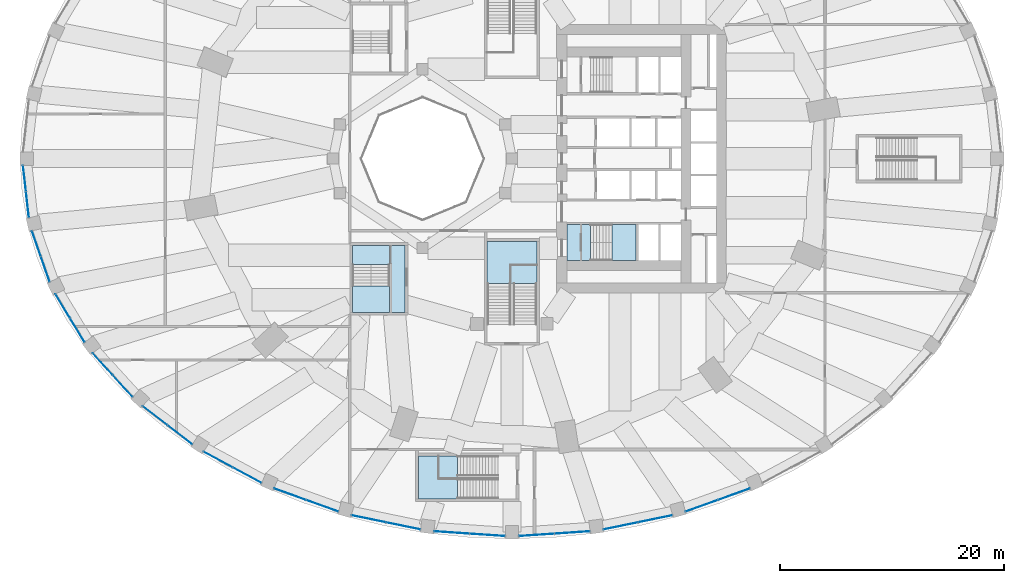
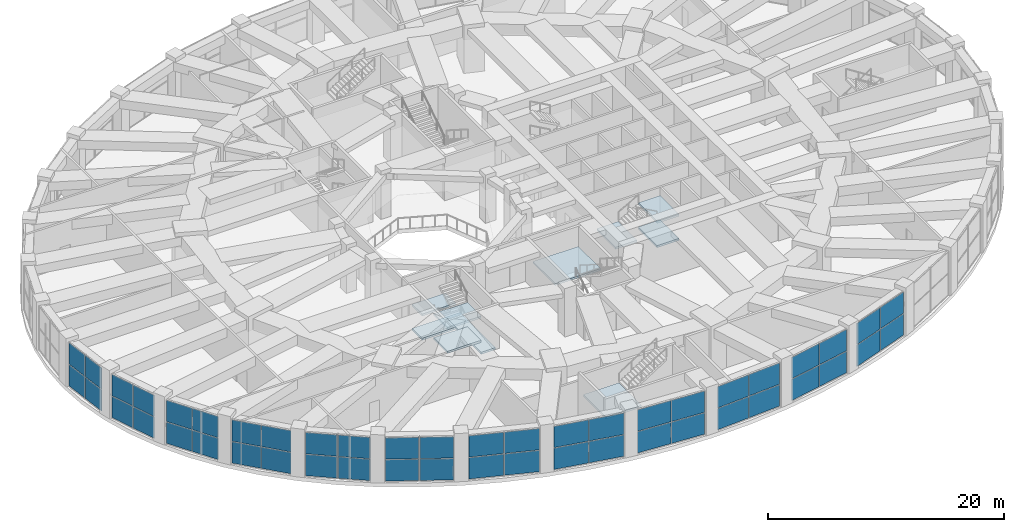
# One storey, part 18 of 32: 48 plates, 10 slabs, 16 elements without a shape of their own.
"""IFC4 building model written with IfcOpenShell, lengths in metres."""

import ifcopenshell
import ifcopenshell.guid

model = None  # the IFC model being written
_history = None  # IfcOwnerHistory: only IFC2X3 demands one
_inside = {}  # id of a spatial element -> (the spatial element, [elements in it])
_under = {}  # id of a project, library or spatial element -> (it, [spatial elements below it])
_declared = {}  # id of a project -> (the project, [libraries it declares])
_typed = {}  # id of a type object -> (the type object, [elements of that type])
_made_of = {}  # id of a material, layer set ... -> (it, [elements and type objects made of it])


def new_model(schema):
    """Start an empty IFC model of exactly this schema.

    Asked for "IFC4X3", IfcOpenShell would pick the latest addendum, in which some entities
    have other attributes; the version numbers below select the first issue.
    IFC2X3 requires an IfcOwnerHistory on every rooted entity: one is made here for all.
    """
    global model, _history
    if schema == "IFC4X3":
        model = ifcopenshell.file(schema_version=(4, 3, 0, 0))
    else:
        model = ifcopenshell.file(schema=schema)
    _inside.clear()
    _under.clear()
    _declared.clear()
    _typed.clear()
    _made_of.clear()
    _history = None
    if model.schema == "IFC2X3":
        org = make("IfcOrganization", Name="unknown")
        user = make(
            "IfcPersonAndOrganization",
            ThePerson=make("IfcPerson", FamilyName="unknown"),
            TheOrganization=org,
        )
        app = make(
            "IfcApplication",
            ApplicationDeveloper=org,
            Version="unknown",
            ApplicationFullName="unknown",
            ApplicationIdentifier="unknown",
        )
        _history = make(
            "IfcOwnerHistory",
            OwningUser=user,
            OwningApplication=app,
            ChangeAction="ADDED",
            CreationDate=0,
        )
    return model


def make(cls, **values):
    """One entity of the class cls with the attributes given. An attribute that is None is left unset."""
    return model.create_entity(
        cls, **{name: value for name, value in values.items() if value is not None}
    )


def rooted(cls, **values):
    """An entity with a GlobalId (a new one), such as an element, a storey or a relation."""
    return make(cls, GlobalId=ifcopenshell.guid.new(), OwnerHistory=_history, **values)


def si_unit(unit_type, name, prefix=None):
    """IfcSIUnit, for example si_unit("LENGTHUNIT", "METRE", prefix="MILLI")."""
    return make("IfcSIUnit", UnitType=unit_type, Prefix=prefix, Name=name)


def assignment(units):
    """IfcUnitAssignment: the units of a project."""
    return None if units is None else make("IfcUnitAssignment", Units=units)


def point(xyz):
    """IfcCartesianPoint."""
    return None if xyz is None else make("IfcCartesianPoint", Coordinates=xyz)


def direction(xyz):
    """IfcDirection."""
    return None if xyz is None else make("IfcDirection", DirectionRatios=xyz)


def frame(location, z_axis=None, x_axis=None):
    """IfcAxis2Placement3D, a coordinate frame: its origin and axes. An axis left out is left unset."""
    return make(
        "IfcAxis2Placement3D",
        Location=point(location),
        Axis=direction(z_axis),
        RefDirection=direction(x_axis),
    )


def frame_2d(location, x_axis=None):
    """IfcAxis2Placement2D, a coordinate frame in the plane: its origin and x axis."""
    return make(
        "IfcAxis2Placement2D", Location=point(location), RefDirection=direction(x_axis)
    )


def origin():
    """The frame at (0, 0, 0) with its axes left unset."""
    return frame((0.0, 0.0, 0.0))


def origin_2d():
    """The frame at (0, 0) in the plane with its x axis left unset."""
    return frame_2d((0.0, 0.0))


def place(relative_to, where):
    """IfcLocalPlacement: puts the frame where relative to a parent placement (None: the world)."""
    return make(
        "IfcLocalPlacement", PlacementRelTo=relative_to, RelativePlacement=where
    )


def context(
    kind, dimensions, precision=None, world=None, true_north=None, identifier=None
):
    """IfcGeometricRepresentationContext, for example the 3D "Model" context."""
    return make(
        "IfcGeometricRepresentationContext",
        ContextIdentifier=identifier,
        ContextType=kind,
        CoordinateSpaceDimension=dimensions,
        Precision=precision,
        WorldCoordinateSystem=world,
        TrueNorth=true_north,
    )


def subcontext(parent, identifier, kind, view, scale=None):
    """IfcGeometricRepresentationSubContext, for example "Body" below "Model"."""
    return make(
        "IfcGeometricRepresentationSubContext",
        ContextIdentifier=identifier,
        ContextType=kind,
        ParentContext=parent,
        TargetScale=scale,
        TargetView=view,
    )


def project(units=None, contexts=None):
    """IfcProject with its units and contexts."""
    return rooted(
        "IfcProject",
        Name="project",
        RepresentationContexts=contexts,
        UnitsInContext=assignment(units),
    )


def spatial(cls, under=None, at=None, **own):
    """A site, building, storey or space (cls), placed at a placement, below another one or the project."""
    s = rooted(cls, ObjectPlacement=at, **own)
    if under is not None:
        _under.setdefault(under.id(), (under, []))[1].append(s)
    return s


def polyline(points):
    """IfcPolyline through the points."""
    return make("IfcPolyline", Points=[point(p) for p in points])


def profile(cls, at=None, kind="AREA", **sizes):
    """A parametric profile (cls). Its sizes go by their IFC names, for example OverallWidth=200.0."""
    return make(cls, ProfileType=kind, Position=at, **sizes)


def rectangle(**sizes):
    """IfcRectangleProfileDef."""
    return profile("IfcRectangleProfileDef", **sizes)


def outline(outer, holes=None, kind="AREA"):
    """IfcArbitraryClosedProfileDef: a profile drawn as a closed curve; with holes, ...WithVoids."""
    if holes is None:
        return make("IfcArbitraryClosedProfileDef", ProfileType=kind, OuterCurve=outer)
    return make(
        "IfcArbitraryProfileDefWithVoids",
        ProfileType=kind,
        OuterCurve=outer,
        InnerCurves=holes,
    )


def extrude(swept, where, along, depth):
    """IfcExtrudedAreaSolid: the profile swept, set in the frame where, extruded along a direction by depth."""
    return make(
        "IfcExtrudedAreaSolid",
        SweptArea=swept,
        Position=where,
        ExtrudedDirection=direction(along),
        Depth=depth,
    )


def shape(context_of_items, identifier, shape_type, items):
    """IfcShapeRepresentation: the items that make up one representation, for example the "Body"."""
    return make(
        "IfcShapeRepresentation",
        ContextOfItems=context_of_items,
        RepresentationIdentifier=identifier,
        RepresentationType=shape_type,
        Items=items,
    )


def material(Name=None, Category=None):
    """IfcMaterial."""
    return make("IfcMaterial", Name=Name, Category=Category)


def layer(
    of_material, thickness, ventilated=None, Name=None, Category=None, Priority=None
):
    """IfcMaterialLayer: one layer of a wall or slab, of a material (None: an air gap)."""
    return make(
        "IfcMaterialLayer",
        Material=of_material,
        LayerThickness=thickness,
        IsVentilated=ventilated,
        Name=Name,
        Category=Category,
        Priority=Priority,
    )


def layer_set(layers, Name=None):
    """IfcMaterialLayerSet."""
    return make("IfcMaterialLayerSet", MaterialLayers=layers, LayerSetName=Name)


def made_of(thing, what):
    """Note that an element or type object is made of a material, layer set ...; save() writes the relation."""
    if what is not None:
        _made_of.setdefault(what.id(), (what, []))[1].append(thing)
    return thing


def type_object(cls, material=None, **own):
    """A type object (cls), such as IfcWallType, which elements share."""
    return made_of(rooted(cls, **own), material)


def element(
    cls,
    number,
    at=None,
    inside=None,
    cuts=None,
    type_object=None,
    material=None,
    context=None,
    identifier="Body",
    shape_type=None,
    held_by="IfcProductDefinitionShape",
    body=None,
    shapes=None,
    **own,
):
    """One element of the class cls, such as IfcWall. Its Tag is "e" and its number.

    at: its placement. inside: the storey or other place that contains it. cuts: it is an
    opening in that element (IfcRelVoidsElement). A single representation is given by context,
    identifier, shape_type and body (its items); several are given by shapes. held_by: the class
    of the entity that holds the representations. save() writes the other relations.
    """
    e = rooted(cls, Tag="e%d" % number, ObjectPlacement=at, **own)
    if body is not None:
        shapes = [shape(context, identifier, shape_type, body)]
    if shapes is not None:
        e.Representation = make(held_by, Representations=shapes)
    if inside is not None:
        _inside.setdefault(inside.id(), (inside, []))[1].append(e)
    if cuts is not None:
        rooted(
            "IfcRelVoidsElement", RelatingBuildingElement=cuts, RelatedOpeningElement=e
        )
    if type_object is not None:
        _typed.setdefault(type_object.id(), (type_object, []))[1].append(e)
    return made_of(e, material)


def aggregate(whole, parts):
    """IfcRelAggregates: a whole, such as a stair, and the parts it consists of."""
    return rooted("IfcRelAggregates", RelatingObject=whole, RelatedObjects=parts)


def save(model, path):
    """Write the relations noted so far, then the file.

    IfcRelAggregates (storeys below a building ...), IfcRelContainedInSpatialStructure (elements
    in a storey), IfcRelDefinesByType, IfcRelAssociatesMaterial and IfcRelDeclares: one each for
    every whole, place, type object, material and project.
    """
    for whole, parts in _under.values():
        aggregate(whole, parts)
    for where, things in _inside.values():
        rooted(
            "IfcRelContainedInSpatialStructure",
            RelatedElements=things,
            RelatingStructure=where,
        )
    for kind, things in _typed.values():
        rooted("IfcRelDefinesByType", RelatedObjects=things, RelatingType=kind)
    for what, things in _made_of.values():
        rooted("IfcRelAssociatesMaterial", RelatedObjects=things, RelatingMaterial=what)
    for by, libraries in _declared.values():
        rooted("IfcRelDeclares", RelatingContext=by, RelatedDefinitions=libraries)
    model.write(path)


model = new_model("IFC4")

# Units and contexts
model_context = context("Model", 3, precision=1e-05, world=origin(), true_north=direction((0.0, 1.0)))
body_context = subcontext(model_context, "Body", "Model", "MODEL_VIEW")
ifc_project = project(units=[si_unit("LENGTHUNIT", "METRE"), si_unit("AREAUNIT", "SQUARE_METRE"), si_unit("VOLUMEUNIT", "CUBIC_METRE"), si_unit("PLANEANGLEUNIT", "RADIAN"), si_unit("MASSUNIT", "GRAM", prefix="KILO")], contexts=[model_context])

# Site, building, storey
site_placement = place(None, origin())
site = spatial("IfcSite", under=ifc_project, at=site_placement, CompositionType="ELEMENT")
building_placement = place(site_placement, origin())
building = spatial("IfcBuilding", under=site, at=building_placement, Name="Taillehof Tower", CompositionType="ELEMENT")
storey_placement = place(building_placement, frame((0.0, 0.0, 7.5)))
storey = spatial("IfcBuildingStorey", under=building, at=storey_placement, Name="L01", CompositionType="ELEMENT", Elevation=7.5)

# Curtain wall, plates
ifc_material_1 = material(Name="Aluminium curtain wall with Clear low-emissivity double glazing", Category="aluminium")
curtain_wall_type = type_object("IfcCurtainWallType", Name="Podium window wall curtain wall", PredefinedType="USERDEFINED", material=ifc_material_1)
curtain_wall_1_placement = place(storey_placement, origin())
curtain_wall_1 = element("IfcCurtainWall", 1, at=curtain_wall_1_placement, inside=storey, type_object=curtain_wall_type, Name="Podium window wall L01 bay 19", ObjectType="WINDOW WALL", PredefinedType="USERDEFINED")
ifc_material_2 = material(Name="Clear low-emissivity double glazing", Category="glass")
ifc_layer_1 = layer(ifc_material_2, 0.028076171875)
ifc_layer_set_1 = layer_set([ifc_layer_1], Name="Podium window wall glass panel 28")
plate_type = type_object("IfcPlateType", Name="Podium window wall glass panel 28", PredefinedType="CURTAIN_PANEL", material=ifc_layer_set_1)
plate_1_placement = place(storey_placement, frame((-43.59716796875, -1.772216796875, 0.06005859375), z_axis=(0.0, 0.0, 1.0), x_axis=(0.112932433888, -0.993602669771, 0.0)))
plate_1 = element("IfcPlate", 2, at=plate_1_placement, type_object=plate_type, Name="CT219 panel 1.1", PredefinedType="CURTAIN_PANEL", context=body_context, shape_type="SweptSolid", body=[
    extrude(rectangle(XDim=2.299560546875, YDim=0.028076171875, at=origin_2d()), origin(), (0.0, 0.0, 1.0), 2.205078125),
])
plate_2_placement = place(storey_placement, frame((-43.59716796875, -1.772216796875, 2.324951171875), z_axis=(0.0, 0.0, 1.0), x_axis=(0.112932433888, -0.993602669771, 0.0)))
plate_2 = element("IfcPlate", 3, at=plate_2_placement, type_object=plate_type, Name="CT219 panel 1.2", PredefinedType="CURTAIN_PANEL", context=body_context, shape_type="SweptSolid", body=[
    extrude(rectangle(XDim=2.299560546875, YDim=0.028076171875, at=origin_2d()), origin(), (0.0, 0.0, 1.0), 2.205078125),
])
plate_3_placement = place(storey_placement, frame((-43.330810546875, -4.116455078125, 0.06005859375), z_axis=(0.0, 0.0, 1.0), x_axis=(0.112932433888, -0.993602669771, 0.0)))
plate_3 = element("IfcPlate", 4, at=plate_3_placement, type_object=plate_type, Name="CT219 panel 2.1", PredefinedType="CURTAIN_PANEL", context=body_context, shape_type="SweptSolid", body=[
    extrude(rectangle(XDim=2.299560546875, YDim=0.028076171875, at=origin_2d()), origin(), (0.0, 0.0, 1.0), 2.205078125),
])
plate_4_placement = place(storey_placement, frame((-43.330810546875, -4.116455078125, 2.324951171875), z_axis=(0.0, 0.0, 1.0), x_axis=(0.112932433888, -0.993602669771, 0.0)))
plate_4 = element("IfcPlate", 5, at=plate_4_placement, type_object=plate_type, Name="CT219 panel 2.2", PredefinedType="CURTAIN_PANEL", context=body_context, shape_type="SweptSolid", body=[
    extrude(rectangle(XDim=2.299560546875, YDim=0.028076171875, at=origin_2d()), origin(), (0.0, 0.0, 1.0), 2.205078125),
])
aggregate(curtain_wall_1, [plate_1, plate_2, plate_3, plate_4])

curtain_wall_2_placement = place(storey_placement, origin())
curtain_wall_2 = element("IfcCurtainWall", 6, at=curtain_wall_2_placement, inside=storey, type_object=curtain_wall_type, Name="Podium window wall L01 bay 20", ObjectType="WINDOW WALL", PredefinedType="USERDEFINED")
plate_5_placement = place(storey_placement, frame((-42.53369140625, -7.599853515625, 0.06005859375), z_axis=(0.0, 0.0, 1.0), x_axis=(0.328757610934, -0.944414333464, 0.0)))
plate_5 = element("IfcPlate", 7, at=plate_5_placement, type_object=plate_type, Name="CT220 panel 1.1", PredefinedType="CURTAIN_PANEL", context=body_context, shape_type="SweptSolid", body=[
    extrude(rectangle(XDim=2.35693359375, YDim=0.028076171875, at=origin_2d()), origin(), (0.0, 0.0, 1.0), 2.205078125),
])
plate_6_placement = place(storey_placement, frame((-42.53369140625, -7.599853515625, 2.324951171875), z_axis=(0.0, 0.0, 1.0), x_axis=(0.328757610934, -0.944414333464, 0.0)))
plate_6 = element("IfcPlate", 8, at=plate_6_placement, type_object=plate_type, Name="CT220 panel 1.2", PredefinedType="CURTAIN_PANEL", context=body_context, shape_type="SweptSolid", body=[
    extrude(rectangle(XDim=2.35693359375, YDim=0.028076171875, at=origin_2d()), origin(), (0.0, 0.0, 1.0), 2.205078125),
])
plate_7_placement = place(storey_placement, frame((-41.7392578125, -9.88232421875, 0.06005859375), z_axis=(0.0, 0.0, 1.0), x_axis=(0.328757610934, -0.944414333464, 0.0)))
plate_7 = element("IfcPlate", 9, at=plate_7_placement, type_object=plate_type, Name="CT220 panel 2.1", PredefinedType="CURTAIN_PANEL", context=body_context, shape_type="SweptSolid", body=[
    extrude(rectangle(XDim=2.35693359375, YDim=0.028076171875, at=origin_2d()), origin(), (0.0, 0.0, 1.0), 2.205078125),
])
plate_8_placement = place(storey_placement, frame((-41.7392578125, -9.88232421875, 2.324951171875), z_axis=(0.0, 0.0, 1.0), x_axis=(0.328757610934, -0.944414333464, 0.0)))
plate_8 = element("IfcPlate", 10, at=plate_8_placement, type_object=plate_type, Name="CT220 panel 2.2", PredefinedType="CURTAIN_PANEL", context=body_context, shape_type="SweptSolid", body=[
    extrude(rectangle(XDim=2.35693359375, YDim=0.028076171875, at=origin_2d()), origin(), (0.0, 0.0, 1.0), 2.205078125),
])
aggregate(curtain_wall_2, [plate_5, plate_6, plate_7, plate_8])

curtain_wall_3_placement = place(storey_placement, origin())
curtain_wall_3 = element("IfcCurtainWall", 11, at=curtain_wall_3_placement, inside=storey, type_object=curtain_wall_type, Name="Podium window wall L01 bay 21", ObjectType="WINDOW WALL", PredefinedType="USERDEFINED")
plate_9_placement = place(storey_placement, frame((-40.177490234375, -13.18798828125, 0.06005859375), z_axis=(0.0, 0.0, 1.0), x_axis=(0.518151483931, -0.855288863309, 0.0)))
plate_9 = element("IfcPlate", 12, at=plate_9_placement, type_object=plate_type, Name="CT221 panel 1.1", PredefinedType="CURTAIN_PANEL", context=body_context, shape_type="SweptSolid", body=[
    extrude(rectangle(XDim=2.4619140625, YDim=0.028076171875, at=origin_2d()), origin(), (0.0, 0.0, 1.0), 2.205078125),
])
plate_10_placement = place(storey_placement, frame((-40.177490234375, -13.18798828125, 2.324951171875), z_axis=(0.0, 0.0, 1.0), x_axis=(0.518151483931, -0.855288863309, 0.0)))
plate_10 = element("IfcPlate", 13, at=plate_10_placement, type_object=plate_type, Name="CT221 panel 1.2", PredefinedType="CURTAIN_PANEL", context=body_context, shape_type="SweptSolid", body=[
    extrude(rectangle(XDim=2.4619140625, YDim=0.028076171875, at=origin_2d()), origin(), (0.0, 0.0, 1.0), 2.205078125),
])
plate_11_placement = place(storey_placement, frame((-38.870849609375, -15.3447265625, 0.06005859375), z_axis=(0.0, 0.0, 1.0), x_axis=(0.518151483931, -0.855288863309, 0.0)))
plate_11 = element("IfcPlate", 14, at=plate_11_placement, type_object=plate_type, Name="CT221 panel 2.1", PredefinedType="CURTAIN_PANEL", context=body_context, shape_type="SweptSolid", body=[
    extrude(rectangle(XDim=2.4619140625, YDim=0.028076171875, at=origin_2d()), origin(), (0.0, 0.0, 1.0), 2.205078125),
])
plate_12_placement = place(storey_placement, frame((-38.870849609375, -15.3447265625, 2.324951171875), z_axis=(0.0, 0.0, 1.0), x_axis=(0.518151483931, -0.855288863309, 0.0)))
plate_12 = element("IfcPlate", 15, at=plate_12_placement, type_object=plate_type, Name="CT221 panel 2.2", PredefinedType="CURTAIN_PANEL", context=body_context, shape_type="SweptSolid", body=[
    extrude(rectangle(XDim=2.4619140625, YDim=0.028076171875, at=origin_2d()), origin(), (0.0, 0.0, 1.0), 2.205078125),
])
aggregate(curtain_wall_3, [plate_9, plate_10, plate_11, plate_12])

curtain_wall_4_placement = place(storey_placement, origin())
curtain_wall_4 = element("IfcCurtainWall", 16, at=curtain_wall_4_placement, inside=storey, type_object=curtain_wall_type, Name="Podium window wall L01 bay 22", ObjectType="WINDOW WALL", PredefinedType="USERDEFINED")
plate_13_placement = place(storey_placement, frame((-36.605224609375, -18.367919921875, 0.06005859375), z_axis=(0.0, 0.0, 1.0), x_axis=(0.672928961769, -0.739707112587, 0.0)))
plate_13 = element("IfcPlate", 17, at=plate_13_placement, type_object=plate_type, Name="CT222 panel 1.1", PredefinedType="CURTAIN_PANEL", context=body_context, shape_type="SweptSolid", body=[
    extrude(rectangle(XDim=2.59814453125, YDim=0.028076171875, at=origin_2d()), origin(), (0.0, 0.0, 1.0), 2.205078125),
])
plate_14_placement = place(storey_placement, frame((-36.605224609375, -18.367919921875, 2.324951171875), z_axis=(0.0, 0.0, 1.0), x_axis=(0.672928961769, -0.739707112587, 0.0)))
plate_14 = element("IfcPlate", 18, at=plate_14_placement, type_object=plate_type, Name="CT222 panel 1.2", PredefinedType="CURTAIN_PANEL", context=body_context, shape_type="SweptSolid", body=[
    extrude(rectangle(XDim=2.59814453125, YDim=0.028076171875, at=origin_2d()), origin(), (0.0, 0.0, 1.0), 2.205078125),
])
plate_15_placement = place(storey_placement, frame((-34.81640625, -20.333984375, 0.06005859375), z_axis=(0.0, 0.0, 1.0), x_axis=(0.672928961769, -0.739707112587, 0.0)))
plate_15 = element("IfcPlate", 19, at=plate_15_placement, type_object=plate_type, Name="CT222 panel 2.1", PredefinedType="CURTAIN_PANEL", context=body_context, shape_type="SweptSolid", body=[
    extrude(rectangle(XDim=2.59814453125, YDim=0.028076171875, at=origin_2d()), origin(), (0.0, 0.0, 1.0), 2.205078125),
])
plate_16_placement = place(storey_placement, frame((-34.81640625, -20.333984375, 2.324951171875), z_axis=(0.0, 0.0, 1.0), x_axis=(0.672928961769, -0.739707112587, 0.0)))
plate_16 = element("IfcPlate", 20, at=plate_16_placement, type_object=plate_type, Name="CT222 panel 2.2", PredefinedType="CURTAIN_PANEL", context=body_context, shape_type="SweptSolid", body=[
    extrude(rectangle(XDim=2.59814453125, YDim=0.028076171875, at=origin_2d()), origin(), (0.0, 0.0, 1.0), 2.205078125),
])
aggregate(curtain_wall_4, [plate_13, plate_14, plate_15, plate_16])

curtain_wall_5_placement = place(storey_placement, origin())
curtain_wall_5 = element("IfcCurtainWall", 21, at=curtain_wall_5_placement, inside=storey, type_object=curtain_wall_type, Name="Podium window wall L01 bay 23", ObjectType="WINDOW WALL", PredefinedType="USERDEFINED")
plate_17_placement = place(storey_placement, frame((-31.927490234375, -22.986083984375, 0.06005859375), z_axis=(0.0, 0.0, 1.0), x_axis=(0.792453709228, -0.60993206075, 0.0)))
plate_17 = element("IfcPlate", 22, at=plate_17_placement, type_object=plate_type, Name="CT223 panel 1.1", PredefinedType="CURTAIN_PANEL", context=body_context, shape_type="SweptSolid", body=[
    extrude(rectangle(XDim=2.74658203125, YDim=0.028076171875, at=origin_2d()), origin(), (0.0, 0.0, 1.0), 2.205078125),
])
plate_18_placement = place(storey_placement, frame((-31.927490234375, -22.986083984375, 2.324951171875), z_axis=(0.0, 0.0, 1.0), x_axis=(0.792453709228, -0.60993206075, 0.0)))
plate_18 = element("IfcPlate", 23, at=plate_18_placement, type_object=plate_type, Name="CT223 panel 1.2", PredefinedType="CURTAIN_PANEL", context=body_context, shape_type="SweptSolid", body=[
    extrude(rectangle(XDim=2.74658203125, YDim=0.028076171875, at=origin_2d()), origin(), (0.0, 0.0, 1.0), 2.205078125),
])
plate_19_placement = place(storey_placement, frame((-29.703369140625, -24.697998046875, 0.06005859375), z_axis=(0.0, 0.0, 1.0), x_axis=(0.792453709228, -0.60993206075, 0.0)))
plate_19 = element("IfcPlate", 24, at=plate_19_placement, type_object=plate_type, Name="CT223 panel 2.1", PredefinedType="CURTAIN_PANEL", context=body_context, shape_type="SweptSolid", body=[
    extrude(rectangle(XDim=2.74658203125, YDim=0.028076171875, at=origin_2d()), origin(), (0.0, 0.0, 1.0), 2.205078125),
])
plate_20_placement = place(storey_placement, frame((-29.703369140625, -24.697998046875, 2.324951171875), z_axis=(0.0, 0.0, 1.0), x_axis=(0.792453709228, -0.60993206075, 0.0)))
plate_20 = element("IfcPlate", 25, at=plate_20_placement, type_object=plate_type, Name="CT223 panel 2.2", PredefinedType="CURTAIN_PANEL", context=body_context, shape_type="SweptSolid", body=[
    extrude(rectangle(XDim=2.74658203125, YDim=0.028076171875, at=origin_2d()), origin(), (0.0, 0.0, 1.0), 2.205078125),
])
aggregate(curtain_wall_5, [plate_17, plate_18, plate_19, plate_20])

curtain_wall_6_placement = place(storey_placement, origin())
curtain_wall_6 = element("IfcCurtainWall", 26, at=curtain_wall_6_placement, inside=storey, type_object=curtain_wall_type, Name="Podium window wall L01 bay 24", ObjectType="WINDOW WALL", PredefinedType="USERDEFINED")
plate_21_placement = place(storey_placement, frame((-26.286376953125, -26.906005859375, 0.06005859375), z_axis=(0.0, 0.0, 1.0), x_axis=(0.880301433958, -0.474414781992, 0.0)))
plate_21 = element("IfcPlate", 27, at=plate_21_placement, type_object=plate_type, Name="CT224 panel 1.1", PredefinedType="CURTAIN_PANEL", context=body_context, shape_type="SweptSolid", body=[
    extrude(rectangle(XDim=2.888916015625, YDim=0.028076171875, at=origin_2d()), origin(), (0.0, 0.0, 1.0), 2.205078125),
])
plate_22_placement = place(storey_placement, frame((-26.286376953125, -26.906005859375, 2.324951171875), z_axis=(0.0, 0.0, 1.0), x_axis=(0.880301433958, -0.474414781992, 0.0)))
plate_22 = element("IfcPlate", 28, at=plate_22_placement, type_object=plate_type, Name="CT224 panel 1.2", PredefinedType="CURTAIN_PANEL", context=body_context, shape_type="SweptSolid", body=[
    extrude(rectangle(XDim=2.888916015625, YDim=0.028076171875, at=origin_2d()), origin(), (0.0, 0.0, 1.0), 2.205078125),
])
plate_23_placement = place(storey_placement, frame((-23.6904296875, -28.30517578125, 0.06005859375), z_axis=(0.0, 0.0, 1.0), x_axis=(0.880301433958, -0.474414781992, 0.0)))
plate_23 = element("IfcPlate", 29, at=plate_23_placement, type_object=plate_type, Name="CT224 panel 2.1", PredefinedType="CURTAIN_PANEL", context=body_context, shape_type="SweptSolid", body=[
    extrude(rectangle(XDim=2.888916015625, YDim=0.028076171875, at=origin_2d()), origin(), (0.0, 0.0, 1.0), 2.205078125),
])
plate_24_placement = place(storey_placement, frame((-23.6904296875, -28.30517578125, 2.324951171875), z_axis=(0.0, 0.0, 1.0), x_axis=(0.880301433958, -0.474414781992, 0.0)))
plate_24 = element("IfcPlate", 30, at=plate_24_placement, type_object=plate_type, Name="CT224 panel 2.2", PredefinedType="CURTAIN_PANEL", context=body_context, shape_type="SweptSolid", body=[
    extrude(rectangle(XDim=2.888916015625, YDim=0.028076171875, at=origin_2d()), origin(), (0.0, 0.0, 1.0), 2.205078125),
])
aggregate(curtain_wall_6, [plate_21, plate_22, plate_23, plate_24])

curtain_wall_7_placement = place(storey_placement, origin())
curtain_wall_7 = element("IfcCurtainWall", 31, at=curtain_wall_7_placement, inside=storey, type_object=curtain_wall_type, Name="Podium window wall L01 bay 25", ObjectType="WINDOW WALL", PredefinedType="USERDEFINED")
plate_25_placement = place(storey_placement, frame((-19.851806640625, -30.01171875, 0.06005859375), z_axis=(0.0, 0.0, 1.0), x_axis=(0.94121845058, -0.337798502496, 0.0)))
plate_25 = element("IfcPlate", 32, at=plate_25_placement, type_object=plate_type, Name="CT225 panel 1.1", PredefinedType="CURTAIN_PANEL", context=body_context, shape_type="SweptSolid", body=[
    extrude(rectangle(XDim=3.009765625, YDim=0.028076171875, at=origin_2d()), origin(), (0.0, 0.0, 1.0), 2.205078125),
])
plate_26_placement = place(storey_placement, frame((-19.851806640625, -30.01171875, 2.324951171875), z_axis=(0.0, 0.0, 1.0), x_axis=(0.94121845058, -0.337798502496, 0.0)))
plate_26 = element("IfcPlate", 33, at=plate_26_placement, type_object=plate_type, Name="CT225 panel 1.2", PredefinedType="CURTAIN_PANEL", context=body_context, shape_type="SweptSolid", body=[
    extrude(rectangle(XDim=3.009765625, YDim=0.028076171875, at=origin_2d()), origin(), (0.0, 0.0, 1.0), 2.205078125),
])
plate_27_placement = place(storey_placement, frame((-16.962646484375, -31.048583984375, 0.06005859375), z_axis=(0.0, 0.0, 1.0), x_axis=(0.94121845058, -0.337798502496, 0.0)))
plate_27 = element("IfcPlate", 34, at=plate_27_placement, type_object=plate_type, Name="CT225 panel 2.1", PredefinedType="CURTAIN_PANEL", context=body_context, shape_type="SweptSolid", body=[
    extrude(rectangle(XDim=3.009765625, YDim=0.028076171875, at=origin_2d()), origin(), (0.0, 0.0, 1.0), 2.205078125),
])
plate_28_placement = place(storey_placement, frame((-16.962646484375, -31.048583984375, 2.324951171875), z_axis=(0.0, 0.0, 1.0), x_axis=(0.94121845058, -0.337798502496, 0.0)))
plate_28 = element("IfcPlate", 35, at=plate_28_placement, type_object=plate_type, Name="CT225 panel 2.2", PredefinedType="CURTAIN_PANEL", context=body_context, shape_type="SweptSolid", body=[
    extrude(rectangle(XDim=3.009765625, YDim=0.028076171875, at=origin_2d()), origin(), (0.0, 0.0, 1.0), 2.205078125),
])
aggregate(curtain_wall_7, [plate_25, plate_26, plate_27, plate_28])

curtain_wall_8_placement = place(storey_placement, origin())
curtain_wall_8 = element("IfcCurtainWall", 36, at=curtain_wall_8_placement, inside=storey, type_object=curtain_wall_type, Name="Podium window wall L01 bay 26", ObjectType="WINDOW WALL", PredefinedType="USERDEFINED")
plate_29_placement = place(storey_placement, frame((-12.81689453125, -32.210693359375, 0.06005859375), z_axis=(0.0, 0.0, 1.0), x_axis=(0.97939047099, -0.201976001877, 0.0)))
plate_29 = element("IfcPlate", 37, at=plate_29_placement, type_object=plate_type, Name="CT226 panel 1.1", PredefinedType="CURTAIN_PANEL", context=body_context, shape_type="SweptSolid", body=[
    extrude(rectangle(XDim=3.0966796875, YDim=0.028076171875, at=origin_2d()), origin(), (0.0, 0.0, 1.0), 2.205078125),
])
plate_30_placement = place(storey_placement, frame((-12.81689453125, -32.210693359375, 2.324951171875), z_axis=(0.0, 0.0, 1.0), x_axis=(0.97939047099, -0.201976001877, 0.0)))
plate_30 = element("IfcPlate", 38, at=plate_30_placement, type_object=plate_type, Name="CT226 panel 1.2", PredefinedType="CURTAIN_PANEL", context=body_context, shape_type="SweptSolid", body=[
    extrude(rectangle(XDim=3.0966796875, YDim=0.028076171875, at=origin_2d()), origin(), (0.0, 0.0, 1.0), 2.205078125),
])
plate_31_placement = place(storey_placement, frame((-9.72509765625, -32.84814453125, 0.06005859375), z_axis=(0.0, 0.0, 1.0), x_axis=(0.97939047099, -0.201976001877, 0.0)))
plate_31 = element("IfcPlate", 39, at=plate_31_placement, type_object=plate_type, Name="CT226 panel 2.1", PredefinedType="CURTAIN_PANEL", context=body_context, shape_type="SweptSolid", body=[
    extrude(rectangle(XDim=3.0966796875, YDim=0.028076171875, at=origin_2d()), origin(), (0.0, 0.0, 1.0), 2.205078125),
])
plate_32_placement = place(storey_placement, frame((-9.72509765625, -32.84814453125, 2.324951171875), z_axis=(0.0, 0.0, 1.0), x_axis=(0.97939047099, -0.201976001877, 0.0)))
plate_32 = element("IfcPlate", 40, at=plate_32_placement, type_object=plate_type, Name="CT226 panel 2.2", PredefinedType="CURTAIN_PANEL", context=body_context, shape_type="SweptSolid", body=[
    extrude(rectangle(XDim=3.0966796875, YDim=0.028076171875, at=origin_2d()), origin(), (0.0, 0.0, 1.0), 2.205078125),
])
aggregate(curtain_wall_8, [plate_29, plate_30, plate_31, plate_32])

curtain_wall_9_placement = place(storey_placement, origin())
curtain_wall_9 = element("IfcCurtainWall", 41, at=curtain_wall_9_placement, inside=storey, type_object=curtain_wall_type, Name="Podium window wall L01 bay 27", ObjectType="WINDOW WALL", PredefinedType="USERDEFINED")
plate_33_placement = place(storey_placement, frame((-5.392578125, -33.4365234375, 0.06005859375), z_axis=(0.0, 0.0, 1.0), x_axis=(0.997740670644, -0.067182989977, 0.0)))
plate_33 = element("IfcPlate", 42, at=plate_33_placement, type_object=plate_type, Name="CT227 panel 1.1", PredefinedType="CURTAIN_PANEL", context=body_context, shape_type="SweptSolid", body=[
    extrude(rectangle(XDim=3.142333984375, YDim=0.028076171875, at=origin_2d()), origin(), (0.0, 0.0, 1.0), 2.205078125),
])
plate_34_placement = place(storey_placement, frame((-5.392578125, -33.4365234375, 2.324951171875), z_axis=(0.0, 0.0, 1.0), x_axis=(0.997740670644, -0.067182989977, 0.0)))
plate_34 = element("IfcPlate", 43, at=plate_34_placement, type_object=plate_type, Name="CT227 panel 1.2", PredefinedType="CURTAIN_PANEL", context=body_context, shape_type="SweptSolid", body=[
    extrude(rectangle(XDim=3.142333984375, YDim=0.028076171875, at=origin_2d()), origin(), (0.0, 0.0, 1.0), 2.205078125),
])
plate_35_placement = place(storey_placement, frame((-2.197509765625, -33.651611328125, 0.06005859375), z_axis=(0.0, 0.0, 1.0), x_axis=(0.997740670644, -0.067182989977, 0.0)))
plate_35 = element("IfcPlate", 44, at=plate_35_placement, type_object=plate_type, Name="CT227 panel 2.1", PredefinedType="CURTAIN_PANEL", context=body_context, shape_type="SweptSolid", body=[
    extrude(rectangle(XDim=3.142333984375, YDim=0.028076171875, at=origin_2d()), origin(), (0.0, 0.0, 1.0), 2.205078125),
])
plate_36_placement = place(storey_placement, frame((-2.197509765625, -33.651611328125, 2.324951171875), z_axis=(0.0, 0.0, 1.0), x_axis=(0.997740670644, -0.067182989977, 0.0)))
plate_36 = element("IfcPlate", 45, at=plate_36_placement, type_object=plate_type, Name="CT227 panel 2.2", PredefinedType="CURTAIN_PANEL", context=body_context, shape_type="SweptSolid", body=[
    extrude(rectangle(XDim=3.142333984375, YDim=0.028076171875, at=origin_2d()), origin(), (0.0, 0.0, 1.0), 2.205078125),
])
aggregate(curtain_wall_9, [plate_33, plate_34, plate_35, plate_36])

curtain_wall_10_placement = place(storey_placement, origin())
curtain_wall_10 = element("IfcCurtainWall", 46, at=curtain_wall_10_placement, inside=storey, type_object=curtain_wall_type, Name="Podium window wall L01 bay 28", ObjectType="WINDOW WALL", PredefinedType="USERDEFINED")
plate_37_placement = place(storey_placement, frame((2.197509765625, -33.651611328125, 0.06005859375), z_axis=(0.0, 0.0, 1.0), x_axis=(0.997740670644, 0.067182989977, 0.0)))
plate_37 = element("IfcPlate", 47, at=plate_37_placement, type_object=plate_type, Name="CT228 panel 1.1", PredefinedType="CURTAIN_PANEL", context=body_context, shape_type="SweptSolid", body=[
    extrude(rectangle(XDim=3.142333984375, YDim=0.028076171875, at=origin_2d()), origin(), (0.0, 0.0, 1.0), 2.205078125),
])
plate_38_placement = place(storey_placement, frame((2.197509765625, -33.651611328125, 2.324951171875), z_axis=(0.0, 0.0, 1.0), x_axis=(0.997740670644, 0.067182989977, 0.0)))
plate_38 = element("IfcPlate", 48, at=plate_38_placement, type_object=plate_type, Name="CT228 panel 1.2", PredefinedType="CURTAIN_PANEL", context=body_context, shape_type="SweptSolid", body=[
    extrude(rectangle(XDim=3.142333984375, YDim=0.028076171875, at=origin_2d()), origin(), (0.0, 0.0, 1.0), 2.205078125),
])
plate_39_placement = place(storey_placement, frame((5.392578125, -33.4365234375, 0.06005859375), z_axis=(0.0, 0.0, 1.0), x_axis=(0.997740670644, 0.067182989977, 0.0)))
plate_39 = element("IfcPlate", 49, at=plate_39_placement, type_object=plate_type, Name="CT228 panel 2.1", PredefinedType="CURTAIN_PANEL", context=body_context, shape_type="SweptSolid", body=[
    extrude(rectangle(XDim=3.142333984375, YDim=0.028076171875, at=origin_2d()), origin(), (0.0, 0.0, 1.0), 2.205078125),
])
plate_40_placement = place(storey_placement, frame((5.392578125, -33.4365234375, 2.324951171875), z_axis=(0.0, 0.0, 1.0), x_axis=(0.997740670644, 0.067182989977, 0.0)))
plate_40 = element("IfcPlate", 50, at=plate_40_placement, type_object=plate_type, Name="CT228 panel 2.2", PredefinedType="CURTAIN_PANEL", context=body_context, shape_type="SweptSolid", body=[
    extrude(rectangle(XDim=3.142333984375, YDim=0.028076171875, at=origin_2d()), origin(), (0.0, 0.0, 1.0), 2.205078125),
])
aggregate(curtain_wall_10, [plate_37, plate_38, plate_39, plate_40])

curtain_wall_11_placement = place(storey_placement, origin())
curtain_wall_11 = element("IfcCurtainWall", 51, at=curtain_wall_11_placement, inside=storey, type_object=curtain_wall_type, Name="Podium window wall L01 bay 29", ObjectType="WINDOW WALL", PredefinedType="USERDEFINED")
plate_41_placement = place(storey_placement, frame((9.72509765625, -32.84814453125, 0.06005859375), z_axis=(0.0, 0.0, 1.0), x_axis=(0.97939047099, 0.201976001877, 0.0)))
plate_41 = element("IfcPlate", 52, at=plate_41_placement, type_object=plate_type, Name="CT229 panel 1.1", PredefinedType="CURTAIN_PANEL", context=body_context, shape_type="SweptSolid", body=[
    extrude(rectangle(XDim=3.0966796875, YDim=0.028076171875, at=origin_2d()), origin(), (0.0, 0.0, 1.0), 2.205078125),
])
plate_42_placement = place(storey_placement, frame((9.72509765625, -32.84814453125, 2.324951171875), z_axis=(0.0, 0.0, 1.0), x_axis=(0.97939047099, 0.201976001877, 0.0)))
plate_42 = element("IfcPlate", 53, at=plate_42_placement, type_object=plate_type, Name="CT229 panel 1.2", PredefinedType="CURTAIN_PANEL", context=body_context, shape_type="SweptSolid", body=[
    extrude(rectangle(XDim=3.0966796875, YDim=0.028076171875, at=origin_2d()), origin(), (0.0, 0.0, 1.0), 2.205078125),
])
plate_43_placement = place(storey_placement, frame((12.81689453125, -32.210693359375, 0.06005859375), z_axis=(0.0, 0.0, 1.0), x_axis=(0.97939047099, 0.201976001877, 0.0)))
plate_43 = element("IfcPlate", 54, at=plate_43_placement, type_object=plate_type, Name="CT229 panel 2.1", PredefinedType="CURTAIN_PANEL", context=body_context, shape_type="SweptSolid", body=[
    extrude(rectangle(XDim=3.0966796875, YDim=0.028076171875, at=origin_2d()), origin(), (0.0, 0.0, 1.0), 2.205078125),
])
plate_44_placement = place(storey_placement, frame((12.81689453125, -32.210693359375, 2.324951171875), z_axis=(0.0, 0.0, 1.0), x_axis=(0.97939047099, 0.201976001877, 0.0)))
plate_44 = element("IfcPlate", 55, at=plate_44_placement, type_object=plate_type, Name="CT229 panel 2.2", PredefinedType="CURTAIN_PANEL", context=body_context, shape_type="SweptSolid", body=[
    extrude(rectangle(XDim=3.0966796875, YDim=0.028076171875, at=origin_2d()), origin(), (0.0, 0.0, 1.0), 2.205078125),
])
aggregate(curtain_wall_11, [plate_41, plate_42, plate_43, plate_44])

curtain_wall_12_placement = place(storey_placement, origin())
curtain_wall_12 = element("IfcCurtainWall", 56, at=curtain_wall_12_placement, inside=storey, type_object=curtain_wall_type, Name="Podium window wall L01 bay 30", ObjectType="WINDOW WALL", PredefinedType="USERDEFINED")
plate_45_placement = place(storey_placement, frame((16.962646484375, -31.048583984375, 0.06005859375), z_axis=(0.0, 0.0, 1.0), x_axis=(0.94121845058, 0.337798502496, 0.0)))
plate_45 = element("IfcPlate", 57, at=plate_45_placement, type_object=plate_type, Name="CT230 panel 1.1", PredefinedType="CURTAIN_PANEL", context=body_context, shape_type="SweptSolid", body=[
    extrude(rectangle(XDim=3.009765625, YDim=0.028076171875, at=origin_2d()), origin(), (0.0, 0.0, 1.0), 2.205078125),
])
plate_46_placement = place(storey_placement, frame((16.962646484375, -31.048583984375, 2.324951171875), z_axis=(0.0, 0.0, 1.0), x_axis=(0.94121845058, 0.337798502496, 0.0)))
plate_46 = element("IfcPlate", 58, at=plate_46_placement, type_object=plate_type, Name="CT230 panel 1.2", PredefinedType="CURTAIN_PANEL", context=body_context, shape_type="SweptSolid", body=[
    extrude(rectangle(XDim=3.009765625, YDim=0.028076171875, at=origin_2d()), origin(), (0.0, 0.0, 1.0), 2.205078125),
])
plate_47_placement = place(storey_placement, frame((19.851806640625, -30.01171875, 0.06005859375), z_axis=(0.0, 0.0, 1.0), x_axis=(0.94121845058, 0.337798502496, 0.0)))
plate_47 = element("IfcPlate", 59, at=plate_47_placement, type_object=plate_type, Name="CT230 panel 2.1", PredefinedType="CURTAIN_PANEL", context=body_context, shape_type="SweptSolid", body=[
    extrude(rectangle(XDim=3.009765625, YDim=0.028076171875, at=origin_2d()), origin(), (0.0, 0.0, 1.0), 2.205078125),
])
plate_48_placement = place(storey_placement, frame((19.851806640625, -30.01171875, 2.324951171875), z_axis=(0.0, 0.0, 1.0), x_axis=(0.94121845058, 0.337798502496, 0.0)))
plate_48 = element("IfcPlate", 60, at=plate_48_placement, type_object=plate_type, Name="CT230 panel 2.2", PredefinedType="CURTAIN_PANEL", context=body_context, shape_type="SweptSolid", body=[
    extrude(rectangle(XDim=3.009765625, YDim=0.028076171875, at=origin_2d()), origin(), (0.0, 0.0, 1.0), 2.205078125),
])
aggregate(curtain_wall_12, [plate_45, plate_46, plate_47, plate_48])

# Stair, slab
ifc_material_3 = material(Name="Concrete C30/37", Category="concrete")
stair_type_1 = type_object("IfcStairType", Name="Escape stair 2100 mm", PredefinedType="HALF_TURN_STAIR", material=ifc_material_3)
stair_1_placement = place(storey_placement, origin())
stair_1 = element("IfcStair", 61, at=stair_1_placement, inside=storey, type_object=stair_type_1, Name="Escape stair P2", PredefinedType="HALF_TURN_STAIR")
ifc_material_4 = material(Name="Concrete C30/37", Category="concrete")
ifc_layer_2 = layer(ifc_material_4, 0.199951171875)
ifc_layer_set_2 = layer_set([ifc_layer_2], Name="Stair landing 200 mm")
slab_type_1 = type_object("IfcSlabType", Name="Stair landing 200 mm", PredefinedType="LANDING", material=ifc_layer_set_2)
slab_1_placement = place(storey_placement, frame((0.0, 0.0, 2.300048828125)))
slab_1 = element("IfcSlab", 62, at=slab_1_placement, type_object=slab_type_1, Name="P2 landing 1", PredefinedType="LANDING", context=body_context, shape_type="SweptSolid", body=[
    extrude(outline(polyline([(-2.22509765625, -11.179931640625), (2.22509765625, -11.179931640625), (2.22509765625, -7.39990234375), (-2.22509765625, -7.39990234375), (-2.22509765625, -11.179931640625)])), origin(), (0.0, 0.0, 1.0), 0.199951171875),
])
aggregate(stair_1, [slab_1])

ifc_material_5 = material(Name="Concrete C30/37", Category="concrete")
stair_type_2 = type_object("IfcStairType", Name="Escape stair 1800 mm", PredefinedType="HALF_TURN_STAIR", material=ifc_material_5)
stair_2_placement = place(storey_placement, origin())
stair_2 = element("IfcStair", 63, at=stair_2_placement, inside=storey, type_object=stair_type_2, Name="Escape stair P4", PredefinedType="HALF_TURN_STAIR")
slab_2_placement = place(storey_placement, frame((0.0, 0.0, 2.300048828125)))
slab_2 = element("IfcSlab", 64, at=slab_2_placement, type_object=slab_type_1, Name="P4 landing 1", PredefinedType="LANDING", context=body_context, shape_type="SweptSolid", body=[
    extrude(outline(polyline([(-4.8798828125, -30.425048828125), (-4.8798828125, -26.574951171875), (-8.360107421875, -26.574951171875), (-8.360107421875, -30.425048828125), (-4.8798828125, -30.425048828125)])), origin(), (0.0, 0.0, 1.0), 0.199951171875),
])
aggregate(stair_2, [slab_2])

# Stair, slabs
ifc_material_6 = material(Name="Concrete C40/50", Category="concrete")
stair_type_3 = type_object("IfcStairType", Name="Exit stair half-turn", PredefinedType="HALF_TURN_STAIR", material=ifc_material_6)
stair_3_placement = place(storey_placement, origin())
stair_3 = element("IfcStair", 65, at=stair_3_placement, inside=storey, type_object=stair_type_3, Name="Exit stair S2", PredefinedType="HALF_TURN_STAIR")
ifc_material_7 = material(Name="Concrete C40/50", Category="concrete")
ifc_layer_3 = layer(ifc_material_7, 0.2099609375)
ifc_layer_set_3 = layer_set([ifc_layer_3], Name="Stair landing C40/50 210")
slab_type_2 = type_object("IfcSlabType", Name="Stair landing C40/50 210", PredefinedType="LANDING", material=ifc_layer_set_3)
slab_3_placement = place(storey_placement, frame((0.0, 0.0, 1.0400390625)))
slab_3 = element("IfcSlab", 66, at=slab_3_placement, type_object=slab_type_2, Name="S2 landing 1", PredefinedType="LANDING", context=body_context, shape_type="SweptSolid", body=[
    extrude(outline(polyline([(8.9599609375, -5.89990234375), (11.10009765625, -5.89990234375), (11.10009765625, -9.10009765625), (8.9599609375, -9.10009765625), (8.9599609375, -5.89990234375)])), origin(), (0.0, 0.0, 1.0), 0.2099609375),
])
slab_4_placement = place(storey_placement, frame((0.0, 0.0, 2.2900390625)))
slab_4 = element("IfcSlab", 67, at=slab_4_placement, type_object=slab_type_2, Name="S2 landing 2", PredefinedType="LANDING", context=body_context, shape_type="SweptSolid", body=[
    extrude(outline(polyline([(4.89990234375, -5.89990234375), (7.0, -5.89990234375), (7.0, -9.10009765625), (4.89990234375, -9.10009765625), (4.89990234375, -5.89990234375)])), origin(), (0.0, 0.0, 1.0), 0.2099609375),
])
slab_5_placement = place(storey_placement, frame((0.0, 0.0, 3.5400390625)))
slab_5 = element("IfcSlab", 68, at=slab_5_placement, type_object=slab_type_2, Name="S2 landing 3", PredefinedType="LANDING", context=body_context, shape_type="SweptSolid", body=[
    extrude(outline(polyline([(8.9599609375, -5.89990234375), (11.10009765625, -5.89990234375), (11.10009765625, -9.10009765625), (8.9599609375, -9.10009765625), (8.9599609375, -5.89990234375)])), origin(), (0.0, 0.0, 1.0), 0.2099609375),
])
aggregate(stair_3, [slab_3, slab_4, slab_5])

stair_4_placement = place(storey_placement, origin())
stair_4 = element("IfcStair", 69, at=stair_4_placement, inside=storey, type_object=stair_type_3, Name="Exit stair S4", PredefinedType="HALF_TURN_STAIR")
slab_6_placement = place(storey_placement, frame((0.0, 0.0, 1.0400390625)))
slab_6 = element("IfcSlab", 70, at=slab_6_placement, type_object=slab_type_2, Name="S4 landing 1", PredefinedType="LANDING", context=body_context, shape_type="SweptSolid", body=[
    extrude(outline(polyline([(-14.25, -11.409912109375), (-14.25, -13.75), (-10.949951171875, -13.75), (-10.949951171875, -11.409912109375), (-14.25, -11.409912109375)])), origin(), (0.0, 0.0, 1.0), 0.2099609375),
])
slab_7_placement = place(storey_placement, frame((0.0, 0.0, 2.2900390625)))
slab_7 = element("IfcSlab", 71, at=slab_7_placement, type_object=slab_type_2, Name="S4 landing 2", PredefinedType="LANDING", context=body_context, shape_type="SweptSolid", body=[
    extrude(outline(polyline([(-14.25, -7.75), (-14.25, -9.449951171875), (-10.949951171875, -9.449951171875), (-10.949951171875, -7.75), (-14.25, -7.75)])), origin(), (0.0, 0.0, 1.0), 0.2099609375),
])
slab_8_placement = place(storey_placement, frame((0.0, 0.0, 3.5400390625)))
slab_8 = element("IfcSlab", 72, at=slab_8_placement, type_object=slab_type_2, Name="S4 landing 3", PredefinedType="LANDING", context=body_context, shape_type="SweptSolid", body=[
    extrude(outline(polyline([(-14.25, -11.409912109375), (-14.25, -13.75), (-10.949951171875, -13.75), (-10.949951171875, -11.409912109375), (-14.25, -11.409912109375)])), origin(), (0.0, 0.0, 1.0), 0.2099609375),
])
aggregate(stair_4, [slab_6, slab_7, slab_8])

# Slabs
slab_9_placement = place(storey_placement, frame((0.0, 0.0, -0.2099609375)))
element("IfcSlab", 73, at=slab_9_placement, inside=storey, type_object=slab_type_2, Name="Stair S4 floor landing", PredefinedType="LANDING", context=body_context, shape_type="SweptSolid", body=[
    extrude(outline(polyline([(-14.25, -7.75), (-14.25, -9.449951171875), (-10.949951171875, -9.449951171875), (-10.949951171875, -7.75), (-14.25, -7.75)])), origin(), (0.0, 0.0, 1.0), 0.2099609375),
])
slab_10_placement = place(storey_placement, frame((0.0, 0.0, -0.2099609375)))
element("IfcSlab", 74, at=slab_10_placement, inside=storey, type_object=slab_type_2, Name="Stair lobby S4 floor", PredefinedType="LANDING", context=body_context, shape_type="SweptSolid", body=[
    extrude(outline(polyline([(-10.949951171875, -13.75), (-9.550048828125, -13.75), (-9.550048828125, -7.75), (-10.949951171875, -7.75), (-10.949951171875, -13.75)])), origin(), (0.0, 0.0, 1.0), 0.2099609375),
])

save(model, "model.ifc")
